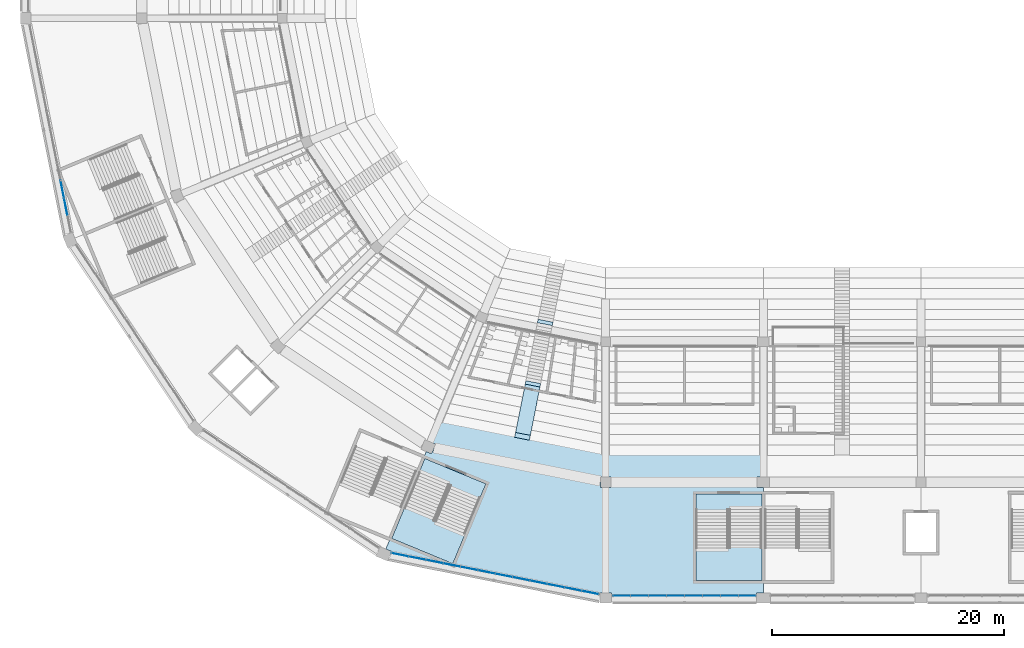
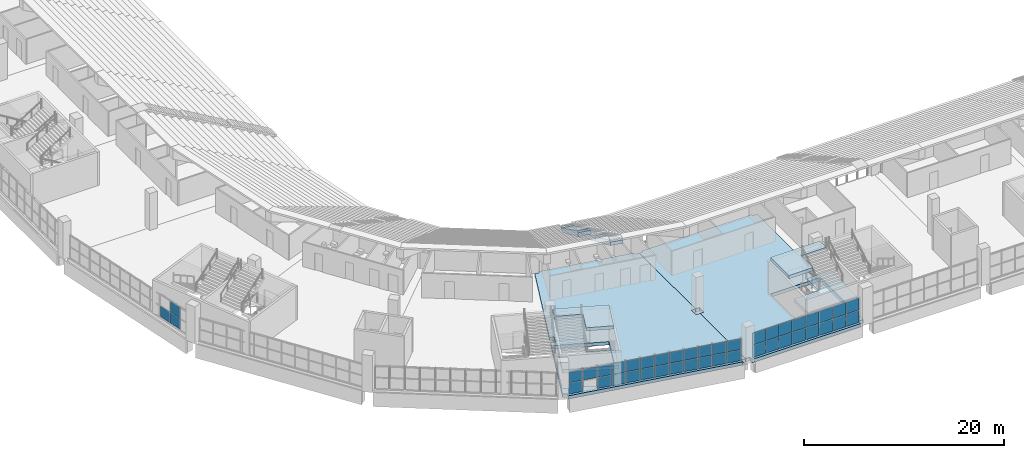
# One storey, part 63 of 249: 42 plates, 9 slabs, 5 elements without a shape of their own.
"""IFC4 building model written with IfcOpenShell, lengths in metres."""

from ifc_helpers import new_model, si_unit, direction, frame, origin, origin_2d, place, context, subcontext, project, spatial, polyline, rectangle, outline, extrude, material, layer, layer_set, type_object, element, aggregate, save


model = new_model("IFC4")

# Units and contexts
model_context = context("Model", 3, precision=1e-05, world=origin(), true_north=direction((0.0, 1.0)))
body_context = subcontext(model_context, "Body", "Model", "MODEL_VIEW")
ifc_project = project(units=[si_unit("LENGTHUNIT", "METRE"), si_unit("AREAUNIT", "SQUARE_METRE"), si_unit("VOLUMEUNIT", "CUBIC_METRE"), si_unit("PLANEANGLEUNIT", "RADIAN"), si_unit("MASSUNIT", "GRAM", prefix="KILO")], contexts=[model_context])

# Site, building, storey
site_placement = place(None, origin())
site = spatial("IfcSite", under=ifc_project, at=site_placement, CompositionType="ELEMENT")
building_placement = place(site_placement, origin())
building = spatial("IfcBuilding", under=site, at=building_placement, Name="Ogive Plaza Stadium", CompositionType="ELEMENT")
storey_placement = place(building_placement, frame((0.0, 0.0, 13.5)))
storey = spatial("IfcBuildingStorey", under=building, at=storey_placement, Name="L03", CompositionType="ELEMENT", Elevation=13.5)

# Slabs
ifc_material_1 = material(Name="Concrete C40/50", Category="concrete")
ifc_layer_1 = layer(ifc_material_1, 0.73486328125)
ifc_layer_set_1 = layer_set([ifc_layer_1], Name="Concrete C40/50")
ifc_layer_2 = layer(ifc_material_1, 0.449951171875)
ifc_layer_set_2 = layer_set([ifc_layer_2], Name="Concrete C40/50")
slab_type_1 = type_object("IfcSlabType", Name="Aisle stair slab 1300", PredefinedType="USERDEFINED", material=ifc_layer_set_2)
slab_1_placement = place(storey_placement, frame((-38.1943359375, -73.5869140625, -13.5), z_axis=(0.0, 0.0, 1.0), x_axis=(-0.195090322016, -0.980785280403, 0.0)))
element("IfcSlab", 1, at=slab_1_placement, inside=storey, type_object=slab_type_1, material=ifc_layer_set_1, Name="Aisle stair SA17U slab 1", ObjectType="AISLE STAIR SLAB", PredefinedType="USERDEFINED", context=body_context, shape_type="SweptSolid", body=[
    extrude(outline(polyline([(0.0, 14.0), (0.2958984375, 14.0), (5.10009765625, 16.825927734375), (5.39990234375, 16.825927734375), (5.39990234375, 16.300048828125), (5.359375, 16.27734375), (5.209228515625, 16.194091796875), (5.059326171875, 16.110595703125), (4.9091796875, 16.02734375), (4.75927734375, 15.944091796875), (4.609375, 15.860595703125), (4.459228515625, 15.77734375), (4.309326171875, 15.694091796875), (4.1591796875, 15.610595703125), (4.00927734375, 15.52734375), (3.859375, 15.444091796875), (3.709228515625, 15.360595703125), (3.559326171875, 15.27734375), (3.4091796875, 15.194091796875), (3.25927734375, 15.110595703125), (3.109375, 15.02734375), (2.959228515625, 14.944091796875), (2.809326171875, 14.860595703125), (2.6591796875, 14.77734375), (2.50927734375, 14.694091796875), (2.359375, 14.610595703125), (2.209228515625, 14.52734375), (2.059326171875, 14.444091796875), (1.9091796875, 14.360595703125), (1.75927734375, 14.27734375), (1.609375, 14.194091796875), (1.459228515625, 14.110595703125), (1.309326171875, 14.02734375), (1.1591796875, 13.944091796875), (1.00927734375, 13.860595703125), (0.859375, 13.77734375), (0.709228515625, 13.75), (0.559326171875, 13.75), (0.4091796875, 13.75), (0.25927734375, 13.75), (0.109375, 13.75), (0.0, 14.0)])), frame((0.0, 0.64990234375, 0.0), z_axis=(0.0, -1.0, 0.0), x_axis=(1.0, 0.0, 0.0)), (0.0, 0.0, 1.0), 1.300048828125),
])
ifc_layer_3 = layer(ifc_material_1, 0.75927734375)
ifc_layer_set_3 = layer_set([ifc_layer_3], Name="Concrete C40/50")
slab_2_placement = place(storey_placement, frame((-39.248046875, -78.883056640625, -13.5), z_axis=(0.0, 0.0, 1.0), x_axis=(-0.195090322016, -0.980785280403, 0.0)))
element("IfcSlab", 2, at=slab_2_placement, inside=storey, type_object=slab_type_1, material=ifc_layer_set_3, Name="Aisle stair SA17U slab 2", ObjectType="AISLE STAIR SLAB", PredefinedType="USERDEFINED", context=body_context, shape_type="SweptSolid", body=[
    extrude(outline(polyline([(0.0, 17.0), (0.2958984375, 17.0), (5.10009765625, 19.825927734375), (5.39990234375, 19.825927734375), (5.39990234375, 19.300048828125), (5.25, 19.216796875), (5.10009765625, 19.13330078125), (4.949951171875, 19.050048828125), (4.800048828125, 18.966796875), (4.64990234375, 18.88330078125), (4.5, 18.800048828125), (4.35009765625, 18.716796875), (4.199951171875, 18.63330078125), (4.050048828125, 18.550048828125), (3.89990234375, 18.466796875), (3.75, 18.38330078125), (3.60009765625, 18.300048828125), (3.449951171875, 18.216796875), (3.300048828125, 18.13330078125), (3.14990234375, 18.050048828125), (3.0, 17.966796875), (2.85009765625, 17.88330078125), (2.699951171875, 17.800048828125), (2.550048828125, 17.716796875), (2.39990234375, 17.63330078125), (2.25, 17.550048828125), (2.10009765625, 17.466796875), (1.949951171875, 17.38330078125), (1.800048828125, 17.300048828125), (1.64990234375, 17.216796875), (1.5, 17.13330078125), (1.35009765625, 17.050048828125), (1.199951171875, 16.966796875), (1.050048828125, 16.88330078125), (0.89990234375, 16.800048828125), (0.75, 16.716796875), (0.60009765625, 16.63330078125), (0.449951171875, 16.550048828125), (0.300048828125, 16.466796875), (0.14990234375, 16.38330078125), (0.0, 16.300048828125), (0.0, 17.0)])), frame((0.0, 0.64990234375, 0.0), z_axis=(0.0, -1.0, 0.0), x_axis=(1.0, 0.0, 0.0)), (0.0, 0.0, 1.0), 1.300048828125),
])
ifc_layer_4 = layer(ifc_material_1, 0.81640625)
ifc_layer_set_4 = layer_set([ifc_layer_4], Name="Concrete C40/50")
slab_3_placement = place(storey_placement, frame((-40.301513671875, -84.179443359375, -13.5), z_axis=(0.0, 0.0, 1.0), x_axis=(-0.195090322016, -0.980785280403, 0.0)))
element("IfcSlab", 3, at=slab_3_placement, inside=storey, type_object=slab_type_1, material=ifc_layer_set_4, Name="Aisle stair SA17U slab 3", ObjectType="AISLE STAIR SLAB", PredefinedType="USERDEFINED", context=body_context, shape_type="SweptSolid", body=[
    extrude(outline(polyline([(0.0, 20.0), (0.2958984375, 20.0), (4.25, 22.325927734375), (4.675537109375, 22.325927734375), (4.675537109375, 21.897705078125), (4.64990234375, 21.88330078125), (4.5, 21.800048828125), (4.35009765625, 21.716796875), (4.199951171875, 21.63330078125), (4.050048828125, 21.550048828125), (3.89990234375, 21.466796875), (3.75, 21.38330078125), (3.60009765625, 21.300048828125), (3.449951171875, 21.216796875), (3.300048828125, 21.13330078125), (3.14990234375, 21.050048828125), (3.0, 20.966796875), (2.85009765625, 20.88330078125), (2.699951171875, 20.800048828125), (2.550048828125, 20.716796875), (2.39990234375, 20.63330078125), (2.25, 20.550048828125), (2.10009765625, 20.466796875), (1.949951171875, 20.38330078125), (1.800048828125, 20.300048828125), (1.64990234375, 20.216796875), (1.5, 20.13330078125), (1.35009765625, 20.050048828125), (1.199951171875, 19.966796875), (1.050048828125, 19.88330078125), (0.89990234375, 19.800048828125), (0.75, 19.716796875), (0.60009765625, 19.63330078125), (0.449951171875, 19.550048828125), (0.300048828125, 19.466796875), (0.14990234375, 19.38330078125), (0.0, 19.300048828125), (0.0, 20.0)])), frame((0.0, 0.64990234375, 0.0), z_axis=(0.0, -1.0, 0.0), x_axis=(1.0, 0.0, 0.0)), (0.0, 0.0, 1.0), 1.300048828125),
])

# Curtain wall, plates
ifc_material_2 = material(Name="Bronze-anodised aluminium with laminated glass", Category="aluminium")
curtain_wall_type = type_object("IfcCurtainWallType", Name="Lancet curtain wall", PredefinedType="NOTDEFINED", material=ifc_material_2)
curtain_wall_1_placement = place(storey_placement, origin())
curtain_wall_1 = element("IfcCurtainWall", 4, at=curtain_wall_1_placement, inside=storey, type_object=curtain_wall_type, Name="CURTAIN WALL B16 L03", PredefinedType="NOTDEFINED")
ifc_material_3 = material(Name="Laminated glass", Category="glass")
ifc_layer_5 = layer(ifc_material_3, 0.028076171875)
ifc_layer_set_5 = layer_set([ifc_layer_5], Name="Laminated glass panel 28")
plate_type = type_object("IfcPlateType", Name="Laminated glass panel 28", PredefinedType="CURTAIN_PANEL", material=ifc_layer_set_5)
plate_1_placement = place(storey_placement, frame((-21.78759765625, -102.300048828125, 0.0498046875), z_axis=(0.0, 0.0, 1.0), x_axis=(-1.0, 0.0, 0.0)))
plate_1 = element("IfcPlate", 5, at=plate_1_placement, type_object=plate_type, Name="CW-B16-L03 panel 1.1", PredefinedType="CURTAIN_PANEL", context=body_context, shape_type="SweptSolid", body=[
    extrude(rectangle(XDim=1.47509765625, YDim=0.028076171875, at=origin_2d()), origin(), (0.0, 0.0, 1.0), 1.469970703125),
])
plate_2_placement = place(storey_placement, frame((-21.78759765625, -102.300048828125, 1.56982421875), z_axis=(0.0, 0.0, 1.0), x_axis=(-1.0, 0.0, 0.0)))
plate_2 = element("IfcPlate", 6, at=plate_2_placement, type_object=plate_type, Name="CW-B16-L03 panel 1.2", PredefinedType="CURTAIN_PANEL", context=body_context, shape_type="SweptSolid", body=[
    extrude(rectangle(XDim=1.47509765625, YDim=0.028076171875, at=origin_2d()), origin(), (0.0, 0.0, 1.0), 1.469970703125),
])
plate_3_placement = place(storey_placement, frame((-23.324951171875, -102.300048828125, 0.0498046875), z_axis=(0.0, 0.0, 1.0), x_axis=(-1.0, 0.0, 0.0)))
plate_3 = element("IfcPlate", 7, at=plate_3_placement, type_object=plate_type, Name="CW-B16-L03 panel 2.1", PredefinedType="CURTAIN_PANEL", context=body_context, shape_type="SweptSolid", body=[
    extrude(rectangle(XDim=1.5, YDim=0.028076171875, at=origin_2d()), origin(), (0.0, 0.0, 1.0), 1.469970703125),
])
plate_4_placement = place(storey_placement, frame((-23.324951171875, -102.300048828125, 1.56982421875), z_axis=(0.0, 0.0, 1.0), x_axis=(-1.0, 0.0, 0.0)))
plate_4 = element("IfcPlate", 8, at=plate_4_placement, type_object=plate_type, Name="CW-B16-L03 panel 2.2", PredefinedType="CURTAIN_PANEL", context=body_context, shape_type="SweptSolid", body=[
    extrude(rectangle(XDim=1.5, YDim=0.028076171875, at=origin_2d()), origin(), (0.0, 0.0, 1.0), 1.469970703125),
])
plate_5_placement = place(storey_placement, frame((-24.875, -102.300048828125, 0.0498046875), z_axis=(0.0, 0.0, 1.0), x_axis=(-1.0, 0.0, 0.0)))
plate_5 = element("IfcPlate", 9, at=plate_5_placement, type_object=plate_type, Name="CW-B16-L03 panel 3.1", PredefinedType="CURTAIN_PANEL", context=body_context, shape_type="SweptSolid", body=[
    extrude(rectangle(XDim=1.5, YDim=0.028076171875, at=origin_2d()), origin(), (0.0, 0.0, 1.0), 1.469970703125),
])
plate_6_placement = place(storey_placement, frame((-24.875, -102.300048828125, 1.56982421875), z_axis=(0.0, 0.0, 1.0), x_axis=(-1.0, 0.0, 0.0)))
plate_6 = element("IfcPlate", 10, at=plate_6_placement, type_object=plate_type, Name="CW-B16-L03 panel 3.2", PredefinedType="CURTAIN_PANEL", context=body_context, shape_type="SweptSolid", body=[
    extrude(rectangle(XDim=1.5, YDim=0.028076171875, at=origin_2d()), origin(), (0.0, 0.0, 1.0), 1.469970703125),
])
plate_7_placement = place(storey_placement, frame((-26.425048828125, -102.300048828125, 0.0498046875), z_axis=(0.0, 0.0, 1.0), x_axis=(-1.0, 0.0, 0.0)))
plate_7 = element("IfcPlate", 11, at=plate_7_placement, type_object=plate_type, Name="CW-B16-L03 panel 4.1", PredefinedType="CURTAIN_PANEL", context=body_context, shape_type="SweptSolid", body=[
    extrude(rectangle(XDim=1.5, YDim=0.028076171875, at=origin_2d()), origin(), (0.0, 0.0, 1.0), 1.469970703125),
])
plate_8_placement = place(storey_placement, frame((-26.425048828125, -102.300048828125, 1.56982421875), z_axis=(0.0, 0.0, 1.0), x_axis=(-1.0, 0.0, 0.0)))
plate_8 = element("IfcPlate", 12, at=plate_8_placement, type_object=plate_type, Name="CW-B16-L03 panel 4.2", PredefinedType="CURTAIN_PANEL", context=body_context, shape_type="SweptSolid", body=[
    extrude(rectangle(XDim=1.5, YDim=0.028076171875, at=origin_2d()), origin(), (0.0, 0.0, 1.0), 1.469970703125),
])
plate_9_placement = place(storey_placement, frame((-27.97509765625, -102.300048828125, 0.0498046875), z_axis=(0.0, 0.0, 1.0), x_axis=(-1.0, 0.0, 0.0)))
plate_9 = element("IfcPlate", 13, at=plate_9_placement, type_object=plate_type, Name="CW-B16-L03 panel 5.1", PredefinedType="CURTAIN_PANEL", context=body_context, shape_type="SweptSolid", body=[
    extrude(rectangle(XDim=1.5, YDim=0.028076171875, at=origin_2d()), origin(), (0.0, 0.0, 1.0), 1.469970703125),
])
plate_10_placement = place(storey_placement, frame((-27.97509765625, -102.300048828125, 1.56982421875), z_axis=(0.0, 0.0, 1.0), x_axis=(-1.0, 0.0, 0.0)))
plate_10 = element("IfcPlate", 14, at=plate_10_placement, type_object=plate_type, Name="CW-B16-L03 panel 5.2", PredefinedType="CURTAIN_PANEL", context=body_context, shape_type="SweptSolid", body=[
    extrude(rectangle(XDim=1.5, YDim=0.028076171875, at=origin_2d()), origin(), (0.0, 0.0, 1.0), 1.469970703125),
])
plate_11_placement = place(storey_placement, frame((-29.52490234375, -102.300048828125, 0.0498046875), z_axis=(0.0, 0.0, 1.0), x_axis=(-1.0, 0.0, 0.0)))
plate_11 = element("IfcPlate", 15, at=plate_11_placement, type_object=plate_type, Name="CW-B16-L03 panel 6.1", PredefinedType="CURTAIN_PANEL", context=body_context, shape_type="SweptSolid", body=[
    extrude(rectangle(XDim=1.5, YDim=0.028076171875, at=origin_2d()), origin(), (0.0, 0.0, 1.0), 1.469970703125),
])
plate_12_placement = place(storey_placement, frame((-29.52490234375, -102.300048828125, 1.56982421875), z_axis=(0.0, 0.0, 1.0), x_axis=(-1.0, 0.0, 0.0)))
plate_12 = element("IfcPlate", 16, at=plate_12_placement, type_object=plate_type, Name="CW-B16-L03 panel 6.2", PredefinedType="CURTAIN_PANEL", context=body_context, shape_type="SweptSolid", body=[
    extrude(rectangle(XDim=1.5, YDim=0.028076171875, at=origin_2d()), origin(), (0.0, 0.0, 1.0), 1.469970703125),
])
plate_13_placement = place(storey_placement, frame((-31.074951171875, -102.300048828125, 0.0498046875), z_axis=(0.0, 0.0, 1.0), x_axis=(-1.0, 0.0, 0.0)))
plate_13 = element("IfcPlate", 17, at=plate_13_placement, type_object=plate_type, Name="CW-B16-L03 panel 7.1", PredefinedType="CURTAIN_PANEL", context=body_context, shape_type="SweptSolid", body=[
    extrude(rectangle(XDim=1.5, YDim=0.028076171875, at=origin_2d()), origin(), (0.0, 0.0, 1.0), 1.469970703125),
])
plate_14_placement = place(storey_placement, frame((-31.074951171875, -102.300048828125, 1.56982421875), z_axis=(0.0, 0.0, 1.0), x_axis=(-1.0, 0.0, 0.0)))
plate_14 = element("IfcPlate", 18, at=plate_14_placement, type_object=plate_type, Name="CW-B16-L03 panel 7.2", PredefinedType="CURTAIN_PANEL", context=body_context, shape_type="SweptSolid", body=[
    extrude(rectangle(XDim=1.5, YDim=0.028076171875, at=origin_2d()), origin(), (0.0, 0.0, 1.0), 1.469970703125),
])
plate_15_placement = place(storey_placement, frame((-32.612548828125, -102.300048828125, 0.0498046875), z_axis=(0.0, 0.0, 1.0), x_axis=(-1.0, 0.0, 0.0)))
plate_15 = element("IfcPlate", 19, at=plate_15_placement, type_object=plate_type, Name="CW-B16-L03 panel 8.1", PredefinedType="CURTAIN_PANEL", context=body_context, shape_type="SweptSolid", body=[
    extrude(rectangle(XDim=1.47509765625, YDim=0.028076171875, at=origin_2d()), origin(), (0.0, 0.0, 1.0), 1.469970703125),
])
plate_16_placement = place(storey_placement, frame((-32.612548828125, -102.300048828125, 1.56982421875), z_axis=(0.0, 0.0, 1.0), x_axis=(-1.0, 0.0, 0.0)))
plate_16 = element("IfcPlate", 20, at=plate_16_placement, type_object=plate_type, Name="CW-B16-L03 panel 8.2", PredefinedType="CURTAIN_PANEL", context=body_context, shape_type="SweptSolid", body=[
    extrude(rectangle(XDim=1.47509765625, YDim=0.028076171875, at=origin_2d()), origin(), (0.0, 0.0, 1.0), 1.469970703125),
])
aggregate(curtain_wall_1, [plate_1, plate_2, plate_3, plate_4, plate_5, plate_6, plate_7, plate_8, plate_9, plate_10, plate_11, plate_12, plate_13, plate_14, plate_15, plate_16])

curtain_wall_2_placement = place(storey_placement, origin())
curtain_wall_2 = element("IfcCurtainWall", 21, at=curtain_wall_2_placement, inside=storey, type_object=curtain_wall_type, Name="CURTAIN WALL B17 L03", PredefinedType="NOTDEFINED")
plate_17_placement = place(storey_placement, frame((-35.328369140625, -102.031982421875, 0.0498046875), z_axis=(0.0, 0.0, 1.0), x_axis=(-0.9807852804, 0.195090322033, 0.0)))
plate_17 = element("IfcPlate", 22, at=plate_17_placement, type_object=plate_type, Name="CW-B17-L03 panel 1.1", PredefinedType="CURTAIN_PANEL", context=body_context, shape_type="SweptSolid", body=[
    extrude(rectangle(XDim=1.447265625, YDim=0.028076171875, at=origin_2d()), origin(), (0.0, 0.0, 1.0), 1.320068359375),
])
plate_18_placement = place(storey_placement, frame((-35.328369140625, -102.031982421875, 1.419921875), z_axis=(0.0, 0.0, 1.0), x_axis=(-0.9807852804, 0.195090322033, 0.0)))
plate_18 = element("IfcPlate", 23, at=plate_18_placement, type_object=plate_type, Name="CW-B17-L03 panel 1.2", PredefinedType="CURTAIN_PANEL", context=body_context, shape_type="SweptSolid", body=[
    extrude(rectangle(XDim=1.447265625, YDim=0.028076171875, at=origin_2d()), origin(), (0.0, 0.0, 1.0), 1.320068359375),
])
plate_19_placement = place(storey_placement, frame((-36.80908203125, -101.7373046875, 0.0498046875), z_axis=(0.0, 0.0, 1.0), x_axis=(-0.9807852804, 0.195090322033, 0.0)))
plate_19 = element("IfcPlate", 24, at=plate_19_placement, type_object=plate_type, Name="CW-B17-L03 panel 2.1", PredefinedType="CURTAIN_PANEL", context=body_context, shape_type="SweptSolid", body=[
    extrude(rectangle(XDim=1.472412109375, YDim=0.028076171875, at=origin_2d()), origin(), (0.0, 0.0, 1.0), 1.320068359375),
])
plate_20_placement = place(storey_placement, frame((-36.80908203125, -101.7373046875, 1.419921875), z_axis=(0.0, 0.0, 1.0), x_axis=(-0.9807852804, 0.195090322033, 0.0)))
plate_20 = element("IfcPlate", 25, at=plate_20_placement, type_object=plate_type, Name="CW-B17-L03 panel 2.2", PredefinedType="CURTAIN_PANEL", context=body_context, shape_type="SweptSolid", body=[
    extrude(rectangle(XDim=1.472412109375, YDim=0.028076171875, at=origin_2d()), origin(), (0.0, 0.0, 1.0), 1.320068359375),
])
plate_21_placement = place(storey_placement, frame((-38.30224609375, -101.4404296875, 0.0498046875), z_axis=(0.0, 0.0, 1.0), x_axis=(-0.9807852804, 0.195090322033, 0.0)))
plate_21 = element("IfcPlate", 26, at=plate_21_placement, type_object=plate_type, Name="CW-B17-L03 panel 3.1", PredefinedType="CURTAIN_PANEL", context=body_context, shape_type="SweptSolid", body=[
    extrude(rectangle(XDim=1.472412109375, YDim=0.028076171875, at=origin_2d()), origin(), (0.0, 0.0, 1.0), 1.320068359375),
])
plate_22_placement = place(storey_placement, frame((-38.30224609375, -101.4404296875, 1.419921875), z_axis=(0.0, 0.0, 1.0), x_axis=(-0.9807852804, 0.195090322033, 0.0)))
plate_22 = element("IfcPlate", 27, at=plate_22_placement, type_object=plate_type, Name="CW-B17-L03 panel 3.2", PredefinedType="CURTAIN_PANEL", context=body_context, shape_type="SweptSolid", body=[
    extrude(rectangle(XDim=1.472412109375, YDim=0.028076171875, at=origin_2d()), origin(), (0.0, 0.0, 1.0), 1.320068359375),
])
plate_23_placement = place(storey_placement, frame((-39.79541015625, -101.143310546875, 0.0498046875), z_axis=(0.0, 0.0, 1.0), x_axis=(-0.9807852804, 0.195090322033, 0.0)))
plate_23 = element("IfcPlate", 28, at=plate_23_placement, type_object=plate_type, Name="CW-B17-L03 panel 4.1", PredefinedType="CURTAIN_PANEL", context=body_context, shape_type="SweptSolid", body=[
    extrude(rectangle(XDim=1.472412109375, YDim=0.028076171875, at=origin_2d()), origin(), (0.0, 0.0, 1.0), 1.320068359375),
])
plate_24_placement = place(storey_placement, frame((-39.79541015625, -101.143310546875, 1.419921875), z_axis=(0.0, 0.0, 1.0), x_axis=(-0.9807852804, 0.195090322033, 0.0)))
plate_24 = element("IfcPlate", 29, at=plate_24_placement, type_object=plate_type, Name="CW-B17-L03 panel 4.2", PredefinedType="CURTAIN_PANEL", context=body_context, shape_type="SweptSolid", body=[
    extrude(rectangle(XDim=1.472412109375, YDim=0.028076171875, at=origin_2d()), origin(), (0.0, 0.0, 1.0), 1.320068359375),
])
plate_25_placement = place(storey_placement, frame((-41.288330078125, -100.846435546875, 0.0498046875), z_axis=(0.0, 0.0, 1.0), x_axis=(-0.9807852804, 0.195090322033, 0.0)))
plate_25 = element("IfcPlate", 30, at=plate_25_placement, type_object=plate_type, Name="CW-B17-L03 panel 5.1", PredefinedType="CURTAIN_PANEL", context=body_context, shape_type="SweptSolid", body=[
    extrude(rectangle(XDim=1.472412109375, YDim=0.028076171875, at=origin_2d()), origin(), (0.0, 0.0, 1.0), 1.320068359375),
])
plate_26_placement = place(storey_placement, frame((-41.288330078125, -100.846435546875, 1.419921875), z_axis=(0.0, 0.0, 1.0), x_axis=(-0.9807852804, 0.195090322033, 0.0)))
plate_26 = element("IfcPlate", 31, at=plate_26_placement, type_object=plate_type, Name="CW-B17-L03 panel 5.2", PredefinedType="CURTAIN_PANEL", context=body_context, shape_type="SweptSolid", body=[
    extrude(rectangle(XDim=1.472412109375, YDim=0.028076171875, at=origin_2d()), origin(), (0.0, 0.0, 1.0), 1.320068359375),
])
plate_27_placement = place(storey_placement, frame((-42.781494140625, -100.54931640625, 0.0498046875), z_axis=(0.0, 0.0, 1.0), x_axis=(-0.9807852804, 0.195090322033, 0.0)))
plate_27 = element("IfcPlate", 32, at=plate_27_placement, type_object=plate_type, Name="CW-B17-L03 panel 6.1", PredefinedType="CURTAIN_PANEL", context=body_context, shape_type="SweptSolid", body=[
    extrude(rectangle(XDim=1.472412109375, YDim=0.028076171875, at=origin_2d()), origin(), (0.0, 0.0, 1.0), 1.320068359375),
])
plate_28_placement = place(storey_placement, frame((-42.781494140625, -100.54931640625, 1.419921875), z_axis=(0.0, 0.0, 1.0), x_axis=(-0.9807852804, 0.195090322033, 0.0)))
plate_28 = element("IfcPlate", 33, at=plate_28_placement, type_object=plate_type, Name="CW-B17-L03 panel 6.2", PredefinedType="CURTAIN_PANEL", context=body_context, shape_type="SweptSolid", body=[
    extrude(rectangle(XDim=1.472412109375, YDim=0.028076171875, at=origin_2d()), origin(), (0.0, 0.0, 1.0), 1.320068359375),
])
plate_29_placement = place(storey_placement, frame((-44.274658203125, -100.25244140625, 0.0498046875), z_axis=(0.0, 0.0, 1.0), x_axis=(-0.9807852804, 0.195090322033, 0.0)))
plate_29 = element("IfcPlate", 34, at=plate_29_placement, type_object=plate_type, Name="CW-B17-L03 panel 7.1", PredefinedType="CURTAIN_PANEL", context=body_context, shape_type="SweptSolid", body=[
    extrude(rectangle(XDim=1.472412109375, YDim=0.028076171875, at=origin_2d()), origin(), (0.0, 0.0, 1.0), 1.320068359375),
])
plate_30_placement = place(storey_placement, frame((-44.274658203125, -100.25244140625, 1.419921875), z_axis=(0.0, 0.0, 1.0), x_axis=(-0.9807852804, 0.195090322033, 0.0)))
plate_30 = element("IfcPlate", 35, at=plate_30_placement, type_object=plate_type, Name="CW-B17-L03 panel 7.2", PredefinedType="CURTAIN_PANEL", context=body_context, shape_type="SweptSolid", body=[
    extrude(rectangle(XDim=1.472412109375, YDim=0.028076171875, at=origin_2d()), origin(), (0.0, 0.0, 1.0), 1.320068359375),
])
plate_31_placement = place(storey_placement, frame((-45.767822265625, -99.955322265625, 0.0498046875), z_axis=(0.0, 0.0, 1.0), x_axis=(-0.9807852804, 0.195090322033, 0.0)))
plate_31 = element("IfcPlate", 36, at=plate_31_placement, type_object=plate_type, Name="CW-B17-L03 panel 8.1", PredefinedType="CURTAIN_PANEL", context=body_context, shape_type="SweptSolid", body=[
    extrude(rectangle(XDim=1.472412109375, YDim=0.028076171875, at=origin_2d()), origin(), (0.0, 0.0, 1.0), 1.320068359375),
])
plate_32_placement = place(storey_placement, frame((-45.767822265625, -99.955322265625, 1.419921875), z_axis=(0.0, 0.0, 1.0), x_axis=(-0.9807852804, 0.195090322033, 0.0)))
plate_32 = element("IfcPlate", 37, at=plate_32_placement, type_object=plate_type, Name="CW-B17-L03 panel 8.2", PredefinedType="CURTAIN_PANEL", context=body_context, shape_type="SweptSolid", body=[
    extrude(rectangle(XDim=1.472412109375, YDim=0.028076171875, at=origin_2d()), origin(), (0.0, 0.0, 1.0), 1.320068359375),
])
plate_33_placement = place(storey_placement, frame((-47.2607421875, -99.658447265625, 0.0498046875), z_axis=(0.0, 0.0, 1.0), x_axis=(-0.9807852804, 0.195090322033, 0.0)))
plate_33 = element("IfcPlate", 38, at=plate_33_placement, type_object=plate_type, Name="CW-B17-L03 panel 9.1", PredefinedType="CURTAIN_PANEL", context=body_context, shape_type="SweptSolid", body=[
    extrude(rectangle(XDim=1.472412109375, YDim=0.028076171875, at=origin_2d()), origin(), (0.0, 0.0, 1.0), 1.320068359375),
])
plate_34_placement = place(storey_placement, frame((-47.2607421875, -99.658447265625, 1.419921875), z_axis=(0.0, 0.0, 1.0), x_axis=(-0.9807852804, 0.195090322033, 0.0)))
plate_34 = element("IfcPlate", 39, at=plate_34_placement, type_object=plate_type, Name="CW-B17-L03 panel 9.2", PredefinedType="CURTAIN_PANEL", context=body_context, shape_type="SweptSolid", body=[
    extrude(rectangle(XDim=1.472412109375, YDim=0.028076171875, at=origin_2d()), origin(), (0.0, 0.0, 1.0), 1.320068359375),
])
plate_35_placement = place(storey_placement, frame((-48.75390625, -99.361328125, 0.0498046875), z_axis=(0.0, 0.0, 1.0), x_axis=(-0.9807852804, 0.195090322033, 0.0)))
plate_35 = element("IfcPlate", 40, at=plate_35_placement, type_object=plate_type, Name="CW-B17-L03 panel 10.1", PredefinedType="CURTAIN_PANEL", context=body_context, shape_type="SweptSolid", body=[
    extrude(rectangle(XDim=1.472412109375, YDim=0.028076171875, at=origin_2d()), origin(), (0.0, 0.0, 1.0), 1.320068359375),
])
plate_36_placement = place(storey_placement, frame((-48.75390625, -99.361328125, 1.419921875), z_axis=(0.0, 0.0, 1.0), x_axis=(-0.9807852804, 0.195090322033, 0.0)))
plate_36 = element("IfcPlate", 41, at=plate_36_placement, type_object=plate_type, Name="CW-B17-L03 panel 10.2", PredefinedType="CURTAIN_PANEL", context=body_context, shape_type="SweptSolid", body=[
    extrude(rectangle(XDim=1.472412109375, YDim=0.028076171875, at=origin_2d()), origin(), (0.0, 0.0, 1.0), 1.320068359375),
])
plate_37_placement = place(storey_placement, frame((-50.2470703125, -99.064453125, 1.419921875), z_axis=(0.0, 0.0, 1.0), x_axis=(-0.9807852804, 0.195090322033, 0.0)))
plate_37 = element("IfcPlate", 42, at=plate_37_placement, type_object=plate_type, Name="CW-B17-L03 panel 11.2", PredefinedType="CURTAIN_PANEL", context=body_context, shape_type="SweptSolid", body=[
    extrude(rectangle(XDim=1.472412109375, YDim=0.028076171875, at=origin_2d()), origin(), (0.0, 0.0, 1.0), 1.320068359375),
])
plate_38_placement = place(storey_placement, frame((-51.727783203125, -98.769775390625, 0.0498046875), z_axis=(0.0, 0.0, 1.0), x_axis=(-0.9807852804, 0.195090322033, 0.0)))
plate_38 = element("IfcPlate", 43, at=plate_38_placement, type_object=plate_type, Name="CW-B17-L03 panel 12.1", PredefinedType="CURTAIN_PANEL", context=body_context, shape_type="SweptSolid", body=[
    extrude(rectangle(XDim=1.447265625, YDim=0.028076171875, at=origin_2d()), origin(), (0.0, 0.0, 1.0), 1.320068359375),
])
plate_39_placement = place(storey_placement, frame((-51.727783203125, -98.769775390625, 1.419921875), z_axis=(0.0, 0.0, 1.0), x_axis=(-0.9807852804, 0.195090322033, 0.0)))
plate_39 = element("IfcPlate", 44, at=plate_39_placement, type_object=plate_type, Name="CW-B17-L03 panel 12.2", PredefinedType="CURTAIN_PANEL", context=body_context, shape_type="SweptSolid", body=[
    extrude(rectangle(XDim=1.447265625, YDim=0.028076171875, at=origin_2d()), origin(), (0.0, 0.0, 1.0), 1.320068359375),
])
aggregate(curtain_wall_2, [plate_17, plate_18, plate_19, plate_20, plate_21, plate_22, plate_23, plate_24, plate_25, plate_26, plate_27, plate_28, plate_29, plate_30, plate_31, plate_32, plate_33, plate_34, plate_35, plate_36, plate_37, plate_38, plate_39])

curtain_wall_3_placement = place(storey_placement, origin())
curtain_wall_3 = element("IfcCurtainWall", 45, at=curtain_wall_3_placement, inside=storey, type_object=curtain_wall_type, Name="CURTAIN WALL B20 L03", PredefinedType="NOTDEFINED")
plate_40_placement = place(storey_placement, frame((-80.564453125, -68.7470703125, 0.0498046875), z_axis=(0.0, 0.0, 1.0), x_axis=(-0.195090322033, 0.9807852804, 0.0)))
plate_40 = element("IfcPlate", 46, at=plate_40_placement, type_object=plate_type, Name="CW-B20-L03 panel 2.1", PredefinedType="CURTAIN_PANEL", context=body_context, shape_type="SweptSolid", body=[
    extrude(rectangle(XDim=1.472412109375, YDim=0.028076171875, at=origin_2d()), origin(), (0.0, 0.0, 1.0), 1.320068359375),
])
plate_41_placement = place(storey_placement, frame((-80.564453125, -68.7470703125, 1.419921875), z_axis=(0.0, 0.0, 1.0), x_axis=(-0.195090322033, 0.9807852804, 0.0)))
plate_41 = element("IfcPlate", 47, at=plate_41_placement, type_object=plate_type, Name="CW-B20-L03 panel 2.2", PredefinedType="CURTAIN_PANEL", context=body_context, shape_type="SweptSolid", body=[
    extrude(rectangle(XDim=1.472412109375, YDim=0.028076171875, at=origin_2d()), origin(), (0.0, 0.0, 1.0), 1.320068359375),
])
plate_42_placement = place(storey_placement, frame((-80.861328125, -67.25390625, 0.0498046875), z_axis=(0.0, 0.0, 1.0), x_axis=(-0.195090322033, 0.9807852804, 0.0)))
plate_42 = element("IfcPlate", 48, at=plate_42_placement, type_object=plate_type, Name="CW-B20-L03 panel 3.1", PredefinedType="CURTAIN_PANEL", context=body_context, shape_type="SweptSolid", body=[
    extrude(rectangle(XDim=1.472412109375, YDim=0.028076171875, at=origin_2d()), origin(), (0.0, 0.0, 1.0), 1.320068359375),
])
aggregate(curtain_wall_3, [plate_40, plate_41, plate_42])

# Slabs
ifc_material_4 = material(Name="Concrete C40/50", Category="concrete")
ifc_layer_6 = layer(ifc_material_4, 0.409912109375)
ifc_layer_set_6 = layer_set([ifc_layer_6], Name="Concrete C40/50")
slab_type_2 = type_object("IfcSlabType", Name="RC floor slab 410", PredefinedType="FLOOR", material=ifc_layer_set_6)
slab_4_placement = place(storey_placement, frame((0.0, 0.0, -0.409912109375)))
element("IfcSlab", 49, at=slab_4_placement, inside=storey, type_object=slab_type_2, Name="Floor slab L03 B16", PredefinedType="FLOOR", context=body_context, shape_type="SweptSolid", body=[
    extrude(outline(polyline([(-34.0, -92.050048828125), (-33.550048828125, -92.050048828125), (-33.550048828125, -92.949951171875), (-34.0, -92.949951171875), (-34.0, -102.050048828125), (-33.5, -102.050048828125), (-33.5, -102.5), (-21.0, -102.5), (-21.0, -102.050048828125), (-20.39990234375, -102.050048828125), (-20.39990234375, -92.949951171875), (-20.949951171875, -92.949951171875), (-20.949951171875, -92.050048828125), (-20.39990234375, -92.050048828125), (-20.39990234375, -80.800048828125), (-20.89990234375, -80.800048828125), (-20.89990234375, -80.60009765625), (-33.60009765625, -80.60009765625), (-33.60009765625, -80.800048828125), (-34.0, -80.800048828125), (-34.0, -92.050048828125)]), holes=[polyline([(-20.52490234375, -93.550048828125), (-26.22509765625, -93.550048828125), (-26.22509765625, -101.010009765625), (-20.52490234375, -101.010009765625), (-20.52490234375, -93.550048828125)])]), origin(), (0.0, 0.0, 1.0), 0.409912109375),
])
slab_5_placement = place(storey_placement, frame((0.0, 0.0, -0.409912109375)))
element("IfcSlab", 50, at=slab_5_placement, inside=storey, type_object=slab_type_2, Name="Floor slab L03 B17", PredefinedType="FLOOR", context=body_context, shape_type="SweptSolid", body=[
    extrude(outline(polyline([(-49.135009765625, -89.03955078125), (-48.673095703125, -89.230712890625), (-49.017578125, -90.062255859375), (-49.4794921875, -89.870849609375), (-52.9619140625, -98.2783203125), (-52.453857421875, -98.48876953125), (-52.584228515625, -98.803466796875), (-34.5, -102.400634765625), (-34.5, -102.050048828125), (-34.0, -102.050048828125), (-34.0, -92.949951171875), (-34.449951171875, -92.949951171875), (-34.449951171875, -92.050048828125), (-34.0, -92.050048828125), (-34.0, -80.800048828125), (-34.39990234375, -80.800048828125), (-34.39990234375, -80.5205078125), (-44.303466796875, -78.550537109375), (-44.414306640625, -78.818115234375), (-44.829833984375, -78.645751953125), (-49.135009765625, -89.03955078125)]), holes=[polyline([(-44.32763671875, -92.654296875), (-49.59375, -90.47314453125), (-52.448486328125, -97.365234375), (-47.182373046875, -99.546630859375), (-44.32763671875, -92.654296875)])]), origin(), (0.0, 0.0, 1.0), 0.409912109375),
])

# Stair, slabs
ifc_material_5 = material(Name="Concrete C40/50", Category="concrete")
stair_type = type_object("IfcStairType", Name="Exit stair", PredefinedType="STRAIGHT_RUN_STAIR", material=ifc_material_5)
stair_1_placement = place(storey_placement, origin())
stair_1 = element("IfcStair", 51, at=stair_1_placement, inside=storey, type_object=stair_type, Name="Exit stair ST16A L03 to L04", PredefinedType="STRAIGHT_RUN_STAIR")
ifc_material_6 = material(Name="Concrete C40/50", Category="concrete")
ifc_layer_7 = layer(ifc_material_6, 0.39990234375)
ifc_layer_set_7 = layer_set([ifc_layer_7], Name="Concrete C40/50")
slab_type_3 = type_object("IfcSlabType", Name="Stair landing", PredefinedType="LANDING", material=ifc_layer_set_7)
slab_6_placement = place(storey_placement, frame((0.0, 0.0, 1.85009765625)))
slab_6 = element("IfcSlab", 52, at=slab_6_placement, type_object=slab_type_3, Name="ST16A landing 1", PredefinedType="LANDING", context=body_context, shape_type="SweptSolid", body=[
    extrude(outline(polyline([(-20.52490234375, -101.010009765625), (-26.22509765625, -101.010009765625), (-26.22509765625, -98.2099609375), (-23.324951171875, -98.2099609375), (-23.324951171875, -95.81005859375), (-20.52490234375, -95.81005859375), (-20.52490234375, -98.2099609375), (-20.52490234375, -101.010009765625)])), origin(), (0.0, 0.0, 1.0), 0.39990234375),
])
slab_7_placement = place(storey_placement, frame((0.0, 0.0, 4.10009765625)))
slab_7 = element("IfcSlab", 53, at=slab_7_placement, type_object=slab_type_3, Name="ST16A landing 2", PredefinedType="LANDING", context=body_context, shape_type="SweptSolid", body=[
    extrude(outline(polyline([(-23.425048828125, -97.25), (-26.22509765625, -97.25), (-26.22509765625, -94.85009765625), (-26.22509765625, -93.550048828125), (-20.52490234375, -93.550048828125), (-20.52490234375, -94.85009765625), (-23.425048828125, -94.85009765625), (-23.425048828125, -97.25)])), origin(), (0.0, 0.0, 1.0), 0.39990234375),
])
aggregate(stair_1, [slab_6, slab_7])

stair_2_placement = place(storey_placement, origin())
stair_2 = element("IfcStair", 54, at=stair_2_placement, inside=storey, type_object=stair_type, Name="Exit stair ST18B L03 to L04", PredefinedType="STRAIGHT_RUN_STAIR")
slab_8_placement = place(storey_placement, frame((0.0, 0.0, 1.85009765625)))
slab_8 = element("IfcSlab", 55, at=slab_8_placement, type_object=slab_type_3, Name="ST18B landing 1", PredefinedType="LANDING", context=body_context, shape_type="SweptSolid", body=[
    extrude(outline(polyline([(-50.45849609375, -92.56103515625), (-47.87158203125, -93.632568359375), (-48.7900390625, -95.849853515625), (-46.11083984375, -96.959716796875), (-47.182373046875, -99.546630859375), (-52.448486328125, -97.365234375), (-51.376953125, -94.7783203125), (-50.45849609375, -92.56103515625)])), origin(), (0.0, 0.0, 1.0), 0.39990234375),
])
slab_9_placement = place(storey_placement, frame((0.0, 0.0, 4.10009765625)))
slab_9 = element("IfcSlab", 56, at=slab_9_placement, type_object=slab_type_3, Name="ST18B landing 2", PredefinedType="LANDING", context=body_context, shape_type="SweptSolid", body=[
    extrude(outline(polyline([(-50.091064453125, -91.674072265625), (-49.59375, -90.47314453125), (-44.32763671875, -92.654296875), (-44.824951171875, -93.85546875), (-45.743408203125, -96.07275390625), (-48.330322265625, -95.001220703125), (-47.411865234375, -92.783935546875), (-50.091064453125, -91.674072265625)])), origin(), (0.0, 0.0, 1.0), 0.39990234375),
])
aggregate(stair_2, [slab_8, slab_9])

save(model, "model.ifc")
